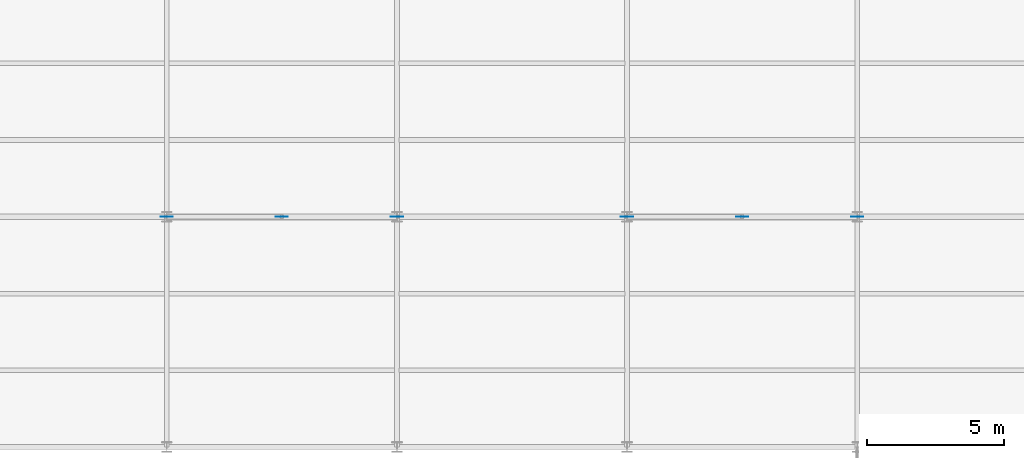
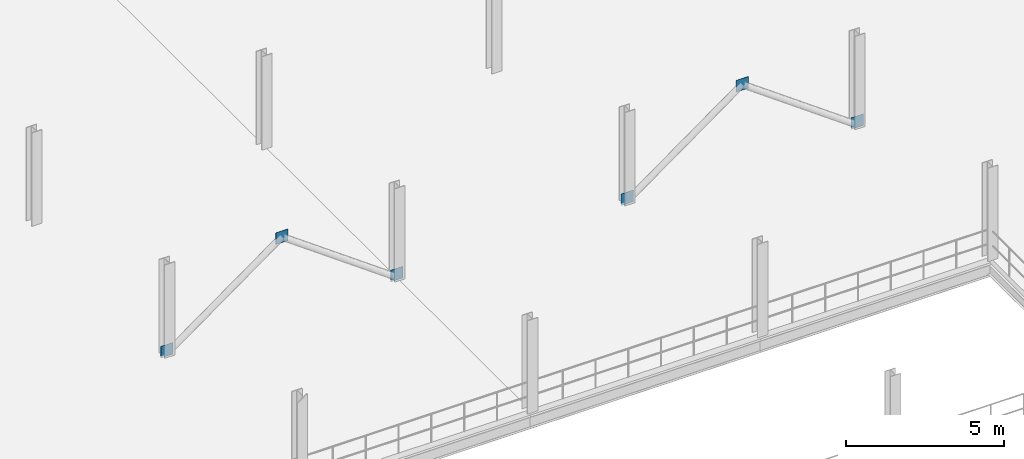
# One storey, part 55 of 74: 6 plates.
"""IFC4 building model written with IfcOpenShell, lengths in metres."""

from ifc_helpers import new_model, si_unit, direction, frame, origin, origin_2d, place, context, subcontext, project, spatial, rectangle, extrude, material, layer, layer_set, type_object, element, save


model = new_model("IFC4")

# Units and contexts
model_context = context("Model", 3, precision=1e-05, world=origin(), true_north=direction((0.0, 1.0)))
body_context = subcontext(model_context, "Body", "Model", "MODEL_VIEW")
ifc_project = project(units=[si_unit("LENGTHUNIT", "METRE"), si_unit("AREAUNIT", "SQUARE_METRE"), si_unit("VOLUMEUNIT", "CUBIC_METRE"), si_unit("PLANEANGLEUNIT", "RADIAN"), si_unit("MASSUNIT", "GRAM", prefix="KILO"), si_unit("THERMODYNAMICTEMPERATUREUNIT", "KELVIN"), si_unit("POWERUNIT", "WATT")], contexts=[model_context])

# Site, building, storey
site_placement = place(None, origin())
site = spatial("IfcSite", under=ifc_project, at=site_placement, CompositionType="ELEMENT")
building_placement = place(site_placement, origin())
building = spatial("IfcBuilding", under=site, at=building_placement, Name="Tembeka Court Mobility Hub", CompositionType="ELEMENT")
storey_placement = place(building_placement, frame((0.0, 0.0, 12.60009765625)))
storey = spatial("IfcBuildingStorey", under=building, at=storey_placement, Name="L03", CompositionType="ELEMENT", Elevation=12.60009765625)

# Plates
ifc_material = material(Name="Steel S355", Category="steel")
ifc_layer = layer(ifc_material, 0.011962890625)
ifc_layer_set = layer_set([ifc_layer], Name="Steel S355")
plate_type = type_object("IfcPlateType", Name="PL-NDP02", PredefinedType="USERDEFINED", material=ifc_layer_set)
for number, where, z_axis, x_axis, name in (
    (1, (33.60009765625, 72.0, -0.0849609375), (0.0, 0.0, 1.0), (1.0, 0.0, 0.0), "Chevron brace gusset plate NDP02 (L03-4-1)"),
    (2, (42.0, 72.0, -0.0849609375), (0.0, 0.0, 1.0), (1.0, 0.0, 0.0), "Chevron brace gusset plate NDP02 (L03-4-2)"),
    (3, (37.800048828125, 72.0, 2.82470703125), (0.0, 0.0, 1.0), (1.0, 0.0, 0.0), "Chevron brace gusset plate NDP02 (L03-4-3)"),
    (4, (50.39990234375, 72.0, -0.0849609375), (0.0, 0.0, 1.0), (1.0, 0.0, 0.0), "Chevron brace gusset plate NDP02 (L03-10-1)"),
    (5, (58.800048828125, 72.0, -0.0849609375), (0.0, 0.0, 1.0), (1.0, 0.0, 0.0), "Chevron brace gusset plate NDP02 (L03-10-2)"),
    (6, (54.60009765625, 72.0, 2.82470703125), (0.0, 0.0, 1.0), (1.0, 0.0, 0.0), "Chevron brace gusset plate NDP02 (L03-10-3)"),
):
    element("IfcPlate", number, at=place(storey_placement, frame(where, z_axis=z_axis, x_axis=x_axis)), inside=storey, type_object=plate_type, Name=name, ObjectType="GUSSET PLATE", PredefinedType="USERDEFINED", context=body_context, shape_type="SweptSolid", body=[
        extrude(rectangle(XDim=0.449951171875, YDim=0.011962890625, at=origin_2d()), origin(), (0.0, 0.0, 1.0), 0.449951171875),
    ])

save(model, "model.ifc")
